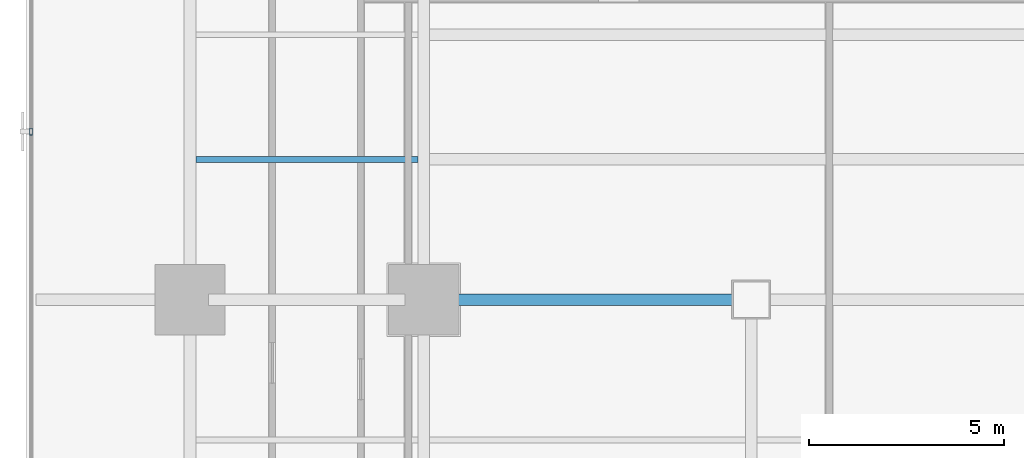
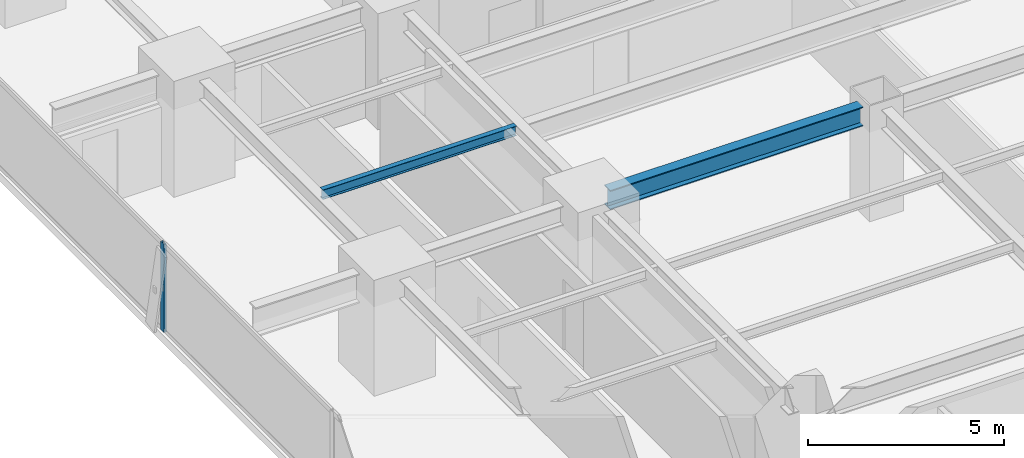
# One storey, part 9 of 34: 2 beams, 1 member, 1 element without a shape of its own.
"""IFC4 building model written with IfcOpenShell, lengths in metres."""

from ifc_helpers import new_model, si_unit, direction, frame, origin, origin_2d, place, context, subcontext, project, spatial, hollow_rectangle, i_section, extrude, source, transform, mapped, material, layer, layer_set, material_profile, profile_set, type_object, element, aggregate, save


model = new_model("IFC4")

# Units and contexts
model_context = context("Model", 3, precision=1e-05, world=origin(), true_north=direction((0.0, 1.0)))
body_context = subcontext(model_context, "Body", "Model", "MODEL_VIEW")
ifc_project = project(units=[si_unit("LENGTHUNIT", "METRE"), si_unit("AREAUNIT", "SQUARE_METRE"), si_unit("VOLUMEUNIT", "CUBIC_METRE"), si_unit("PLANEANGLEUNIT", "RADIAN"), si_unit("MASSUNIT", "GRAM", prefix="KILO")], contexts=[model_context])

# Site, building, storey
site_placement = place(None, origin())
site = spatial("IfcSite", under=ifc_project, at=site_placement, CompositionType="ELEMENT")
building_placement = place(site_placement, origin())
building = spatial("IfcBuilding", under=site, at=building_placement, Name="Sumidabori Civic Tower", CompositionType="ELEMENT")
storey_placement = place(building_placement, frame((0.0, 0.0, 56.0)))
storey = spatial("IfcBuildingStorey", under=building, at=storey_placement, Name="L14", CompositionType="ELEMENT", Elevation=56.0)

# Beams
ifc_material_1 = material(Name="Steel SN490", Category="steel")
ifc_material_profile_1 = material_profile(ifc_material_1, i_section(OverallWidth=0.300048828125, OverallDepth=0.60009765625, WebThickness=0.015380859375, FlangeThickness=0.030029296875, at=origin_2d()), Name="HE 600 B")
ifc_profile_set_1 = profile_set([ifc_material_profile_1], Name="Steel SN490")
beam_type_1 = type_object("IfcBeamType", Name="BM-GIRD-600", PredefinedType="BEAM", material=ifc_profile_set_1)
shared_shape_1 = source(origin(), body_context, "Body", "SweptSolid", [
    extrude(i_section(OverallWidth=0.300048828125, OverallDepth=0.60009765625, WebThickness=0.015380859375, FlangeThickness=0.030029296875, at=origin_2d()), origin(), (0.0, 0.0, 1.0), 7.440185546875),
])
beam_1_placement = place(storey_placement, frame((-16.320068359375, 0.0, 3.06005859375), z_axis=(1.0, 0.0, 0.0), x_axis=(0.0, 1.0, 0.0)))
element("IfcBeam", 1, at=beam_1_placement, inside=storey, type_object=beam_type_1, Name="Primary Girder L14 GX-14", PredefinedType="BEAM", context=body_context, shape_type="MappedRepresentation", body=[
    mapped(shared_shape_1, transform((0.0, 0.0, 0.0), x_axis=(1.0, 0.0, 0.0), y_axis=(0.0, 1.0, 0.0), z_axis=(0.0, 0.0, 1.0), scale=1.0)),
])
ifc_material_profile_2 = material_profile(ifc_material_1, i_section(OverallWidth=0.14990234375, OverallDepth=0.300048828125, WebThickness=0.007080078125, FlangeThickness=0.0107421875, at=origin_2d()), Name="IPE 300")
ifc_profile_set_2 = profile_set([ifc_material_profile_2], Name="Steel SN490")
beam_type_2 = type_object("IfcBeamType", Name="BM-JST-300", PredefinedType="JOIST", material=ifc_profile_set_2)
shared_shape_2 = source(origin(), body_context, "Body", "SweptSolid", [
    extrude(i_section(OverallWidth=0.14990234375, OverallDepth=0.300048828125, WebThickness=0.007080078125, FlangeThickness=0.0107421875, at=origin_2d()), origin(), (0.0, 0.0, 1.0), 5.699951171875),
])
beam_2_placement = place(storey_placement, frame((-22.64990234375, 3.60009765625, 3.2099609375), z_axis=(1.0, 0.0, 0.0), x_axis=(0.0, 1.0, 0.0)))
element("IfcBeam", 2, at=beam_2_placement, inside=storey, type_object=beam_type_2, Name="Outer Bay Floor Joist L14 JSTO-53", PredefinedType="JOIST", context=body_context, shape_type="MappedRepresentation", body=[
    mapped(shared_shape_2, transform((0.0, 0.0, 0.0), x_axis=(1.0, 0.0, 0.0), y_axis=(0.0, 1.0, 0.0), z_axis=(0.0, 0.0, 1.0), scale=1.0)),
])

# Curtain wall, member
ifc_material_2 = material(Name="Anodised Bronze Aluminium AW-6063-T6", Category="aluminium")
ifc_layer = layer(ifc_material_2, 0.179931640625, Name="Anodised Bronze Aluminium AW-6063-T6")
ifc_layer_set = layer_set([ifc_layer], Name="Anodised Bronze Aluminium AW-6063-T6")
curtain_wall_type = type_object("IfcCurtainWallType", Name="CW-SYS-2", PredefinedType="NOTDEFINED", material=ifc_layer_set)
curtain_wall_placement = place(storey_placement, origin())
curtain_wall = element("IfcCurtainWall", 3, at=curtain_wall_placement, inside=storey, type_object=curtain_wall_type, Name="Curtain Wall CW:L14:R10", PredefinedType="NOTDEFINED")
ifc_material_profile_3 = material_profile(ifc_material_2, hollow_rectangle(XDim=0.070068359375, YDim=0.179931640625, WallThickness=0.006103515625, at=origin_2d()), Name="ALU MULLION 180x70")
ifc_profile_set_3 = profile_set([ifc_material_profile_3], Name="Anodised Bronze Aluminium AW-6063-T6")
member_type = type_object("IfcMemberType", Name="CW-MUL-180", PredefinedType="MULLION", material=ifc_profile_set_3)
shared_shape_3 = source(origin(), body_context, "Body", "SweptSolid", [
    extrude(hollow_rectangle(XDim=0.070068359375, YDim=0.179931640625, WallThickness=0.006103515625, at=origin_2d()), origin(), (0.0, 0.0, 1.0), 2.739990234375),
])
member_placement = place(storey_placement, frame((-26.8798828125, 4.31396484375, 0.0), z_axis=(0.0, 0.0, 1.0), x_axis=(1.0, 0.0, 0.0)))
member = element("IfcMember", 4, at=member_placement, type_object=member_type, Name="CW-2 mullion 3", PredefinedType="MULLION", context=body_context, shape_type="MappedRepresentation", body=[
    mapped(shared_shape_3, transform((0.0, 0.0, 0.0), x_axis=(1.0, 0.0, 0.0), y_axis=(0.0, 1.0, 0.0), z_axis=(0.0, 0.0, 1.0), scale=1.0)),
])
aggregate(curtain_wall, [member])

save(model, "model.ifc")
